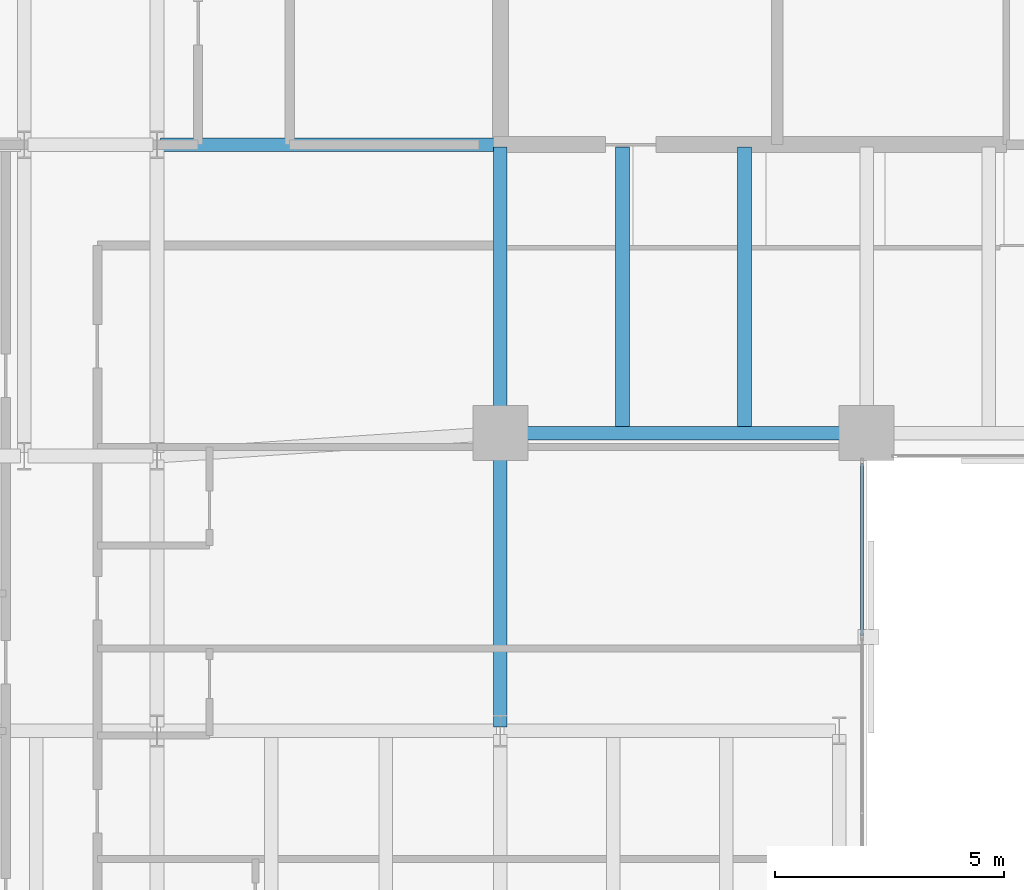
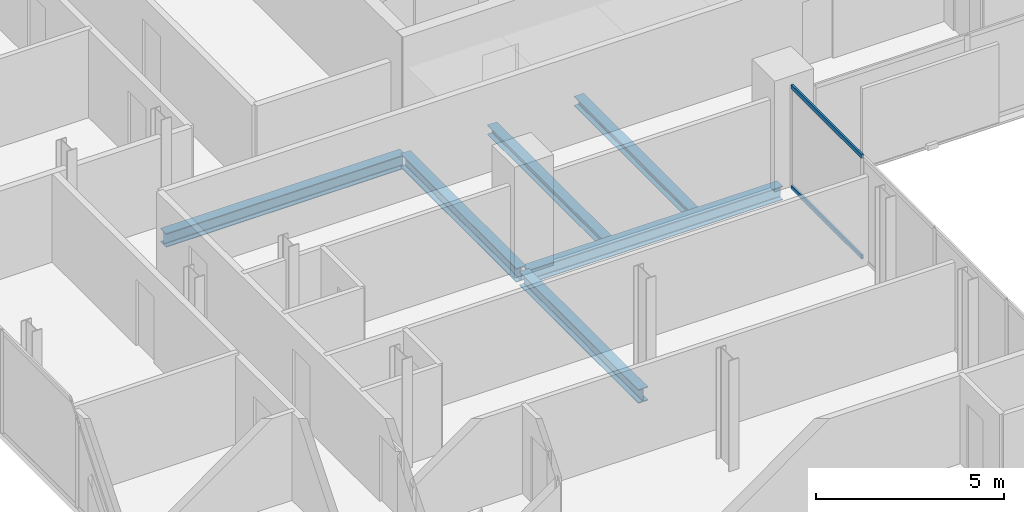
# One storey, part 12 of 32: 6 beams, 2 members, 1 element without a shape of its own.
"""IFC4 building model written with IfcOpenShell, lengths in metres."""

from ifc_helpers import new_model, si_unit, direction, frame, origin, origin_2d, place, context, subcontext, project, spatial, hollow_rectangle, i_section, extrude, material, layer, layer_set, material_profile, profile_set, type_object, element, aggregate, save


model = new_model("IFC4")

# Units and contexts
model_context = context("Model", 3, precision=1e-05, world=origin(), true_north=direction((0.0, 1.0)))
body_context = subcontext(model_context, "Body", "Model", "MODEL_VIEW")
ifc_project = project(units=[si_unit("LENGTHUNIT", "METRE"), si_unit("AREAUNIT", "SQUARE_METRE"), si_unit("VOLUMEUNIT", "CUBIC_METRE"), si_unit("PLANEANGLEUNIT", "RADIAN"), si_unit("MASSUNIT", "GRAM", prefix="KILO")], contexts=[model_context])

# Site, building, storey
site_placement = place(None, origin())
site = spatial("IfcSite", under=ifc_project, at=site_placement, CompositionType="ELEMENT")
building_placement = place(site_placement, origin())
building = spatial("IfcBuilding", under=site, at=building_placement, Name="Catumbela Crestline Tower", CompositionType="ELEMENT")
storey_placement = place(building_placement, frame((0.0, 0.0, 126.0)))
storey = spatial("IfcBuildingStorey", under=building, at=storey_placement, Name="L32", CompositionType="ELEMENT", Elevation=126.0)

# Beams
ifc_material_1 = material(Name="Structural steel S355J2", Category="steel")
ifc_material_profile_1 = material_profile(ifc_material_1, i_section(OverallWidth=0.3, OverallDepth=0.45, WebThickness=0.014, FlangeThickness=0.026, FilletRadius=0.027, at=origin_2d()), Name="HEB 450")
ifc_profile_set_1 = profile_set([ifc_material_profile_1], Name="Structural steel S355J2")
beam_type_1 = type_object("IfcBeamType", Name="BG-HEB450", PredefinedType="BEAM", material=ifc_profile_set_1)
beam_1_placement = place(storey_placement, frame((16.08, 24.5, -0.485), z_axis=(1.0, 0.0, 0.0), x_axis=(0.0, 1.0, 0.0)))
element("IfcBeam", 1, at=beam_1_placement, inside=storey, type_object=beam_type_1, Name="L32 Beam BM-L32-S04", PredefinedType="BEAM", context=body_context, shape_type="SweptSolid", body=[
    extrude(i_section(OverallWidth=0.3, OverallDepth=0.45, WebThickness=0.014, FlangeThickness=0.026, FilletRadius=0.027, at=origin_2d()), origin(), (0.0, 0.0, 1.0), 7.84),
])
beam_2_placement = place(storey_placement, frame((8.58, 30.8, -0.485), z_axis=(1.0, 0.0, 0.0), x_axis=(0.0, 1.0, 0.0)))
element("IfcBeam", 2, at=beam_2_placement, inside=storey, type_object=beam_type_1, Name="L32 Beam BM-L32-M09", PredefinedType="BEAM", context=body_context, shape_type="SweptSolid", body=[
    extrude(i_section(OverallWidth=0.3, OverallDepth=0.45, WebThickness=0.014, FlangeThickness=0.026, FilletRadius=0.027, at=origin_2d()), origin(), (0.0, 0.0, 1.0), 7.37),
])
beam_3_placement = place(storey_placement, frame((16.0, 24.58, -0.485), z_axis=(0.0, 1.0, 0.0), x_axis=(-1.0, 0.0, 0.0)))
element("IfcBeam", 3, at=beam_3_placement, inside=storey, type_object=beam_type_1, Name="L32 Beam BM-L32-SNS28", PredefinedType="BEAM", context=body_context, shape_type="SweptSolid", body=[
    extrude(i_section(OverallWidth=0.3, OverallDepth=0.45, WebThickness=0.014, FlangeThickness=0.026, FilletRadius=0.027, at=origin_2d()), origin(), (0.0, 0.0, 1.0), 6.17),
])
beam_4_placement = place(storey_placement, frame((16.0, 18.08, -0.485), z_axis=(0.0, 1.0, 0.0), x_axis=(-1.0, 0.0, 0.0)))
element("IfcBeam", 4, at=beam_4_placement, inside=storey, type_object=beam_type_1, Name="L32 Beam BM-L32-WNS60", PredefinedType="BEAM", context=body_context, shape_type="SweptSolid", body=[
    extrude(i_section(OverallWidth=0.3, OverallDepth=0.45, WebThickness=0.014, FlangeThickness=0.026, FilletRadius=0.027, at=origin_2d()), origin(), (0.0, 0.0, 1.0), 6.34),
])
ifc_material_profile_2 = material_profile(ifc_material_1, i_section(OverallWidth=0.3, OverallDepth=0.31, WebThickness=0.009, FlangeThickness=0.0155, FilletRadius=0.027, at=origin_2d()), Name="HEA 320")
ifc_profile_set_2 = profile_set([ifc_material_profile_2], Name="Structural steel S355J2")
beam_type_2 = type_object("IfcBeamType", Name="BJ-HEA320", PredefinedType="JOIST", material=ifc_profile_set_2)
for number, where, z_axis, x_axis, name in (
    (5, (18.667, 24.647, -0.415), (0.0, 1.0, 0.0), (-1.0, 0.0, 0.0), "L32 Joist JS-L32-SP37"),
    (6, (21.333, 24.647, -0.415), (0.0, 1.0, 0.0), (-1.0, 0.0, 0.0), "L32 Joist JS-L32-SP38"),
):
    element("IfcBeam", number, at=place(storey_placement, frame(where, z_axis=z_axis, x_axis=x_axis)), inside=storey, type_object=beam_type_2, Name=name, PredefinedType="JOIST", context=body_context, shape_type="SweptSolid", body=[
        extrude(i_section(OverallWidth=0.3, OverallDepth=0.31, WebThickness=0.009, FlangeThickness=0.0155, FilletRadius=0.027, at=origin_2d()), origin(), (0.0, 0.0, 1.0), 6.103),
    ])

# Curtain wall, members
ifc_material_2 = material(Name="Aluminium alloy AW-6060-T66", Category="aluminium")
ifc_layer = layer(ifc_material_2, 0.18, Name="Aluminium alloy AW-6060-T66")
ifc_layer_set = layer_set([ifc_layer], Name="Aluminium alloy AW-6060-T66")
curtain_wall_type = type_object("IfcCurtainWallType", Name="CWU-Z2", PredefinedType="USERDEFINED", material=ifc_layer_set)
curtain_wall_placement = place(storey_placement, origin())
curtain_wall = element("IfcCurtainWall", 7, at=curtain_wall_placement, inside=storey, type_object=curtain_wall_type, Name="L32 Unitised Curtain Wall CW-L32-E2S1", ObjectType="UNITISED", PredefinedType="USERDEFINED")
ifc_material_profile_3 = material_profile(ifc_material_2, hollow_rectangle(XDim=0.06, YDim=0.14, WallThickness=0.004, at=origin_2d()), Name="ALU 140x60x4")
ifc_profile_set_3 = profile_set([ifc_material_profile_3], Name="Aluminium alloy AW-6060-T66")
member_type = type_object("IfcMemberType", Name="TRN-140X60", PredefinedType="USERDEFINED", material=ifc_profile_set_3)
member_1_placement = place(storey_placement, frame((23.9, 20.0825, 0.03), z_axis=(0.0, 1.0, 0.0), x_axis=(-1.0, 0.0, 0.0)))
member_1 = element("IfcMember", 8, at=member_1_placement, type_object=member_type, Name="CWU-Z2 transom 4.1", ObjectType="TRANSOM", PredefinedType="USERDEFINED", context=body_context, shape_type="SweptSolid", body=[
    extrude(hollow_rectangle(XDim=0.06, YDim=0.14, WallThickness=0.004, at=origin_2d()), origin(), (0.0, 0.0, 1.0), 3.7525),
])
member_2_placement = place(storey_placement, frame((23.9, 20.0825, 3.3), z_axis=(0.0, 1.0, 0.0), x_axis=(-1.0, 0.0, 0.0)))
member_2 = element("IfcMember", 9, at=member_2_placement, type_object=member_type, Name="CWU-Z2 transom 4.2", ObjectType="TRANSOM", PredefinedType="USERDEFINED", context=body_context, shape_type="SweptSolid", body=[
    extrude(hollow_rectangle(XDim=0.06, YDim=0.14, WallThickness=0.004, at=origin_2d()), origin(), (0.0, 0.0, 1.0), 3.7525),
])
aggregate(curtain_wall, [member_1, member_2])

save(model, "model.ifc")
